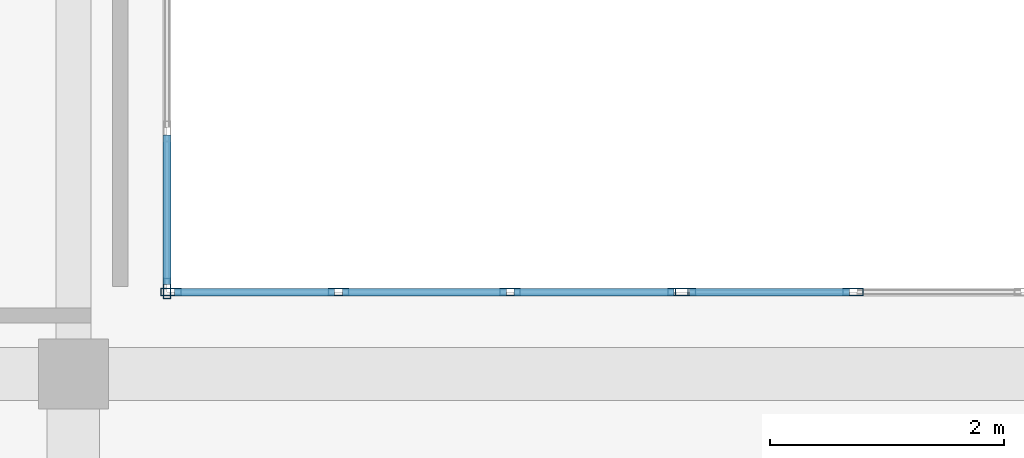
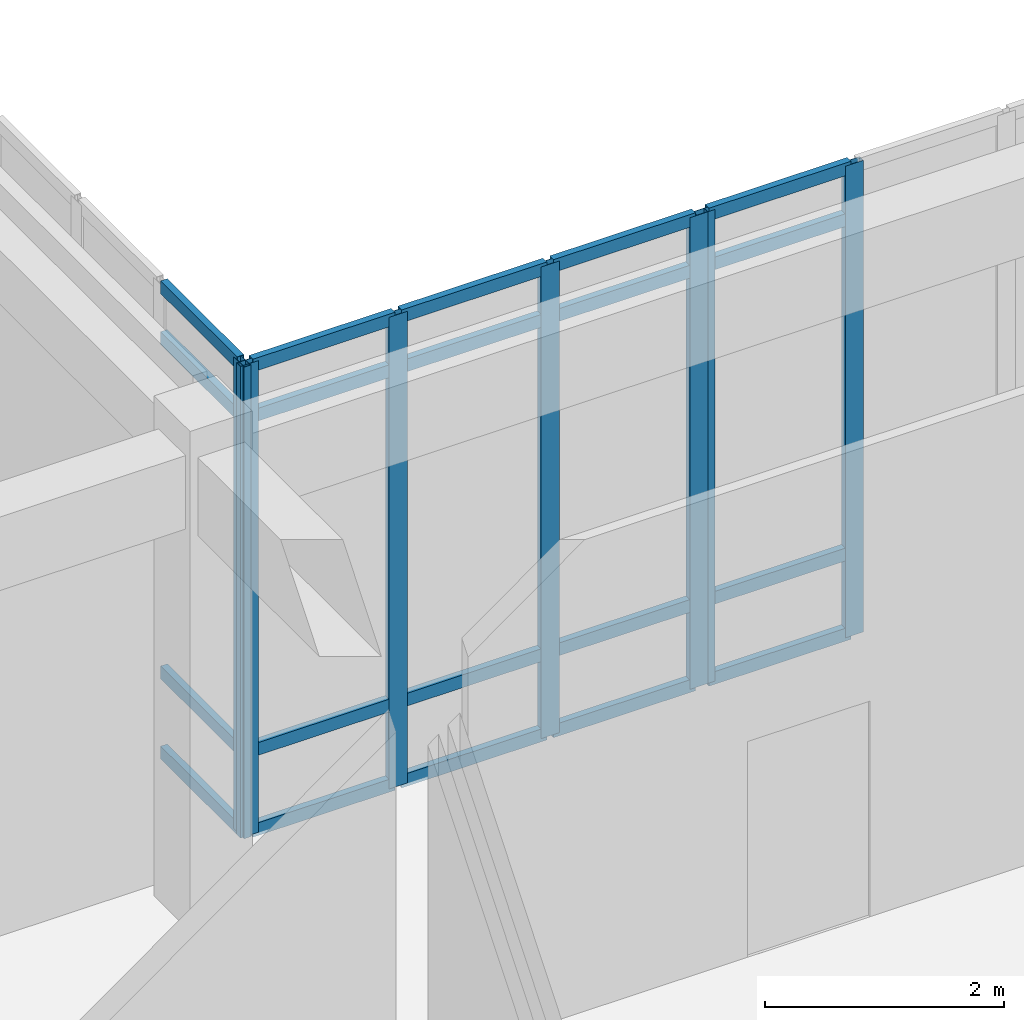
# One storey, part 59 of 121: 27 members, 3 elements without a shape of their own.
"""IFC4 building model written with IfcOpenShell, lengths in metres."""

from ifc_helpers import new_model, si_unit, direction, frame, origin, origin_2d, place, context, subcontext, project, spatial, hollow_rectangle, extrude, material, layer, layer_set, material_profile, profile_set, type_object, element, aggregate, save


model = new_model("IFC4")

# Units and contexts
model_context = context("Model", 3, precision=1e-05, world=origin(), true_north=direction((0.0, 1.0)))
body_context = subcontext(model_context, "Body", "Model", "MODEL_VIEW")
ifc_project = project(units=[si_unit("LENGTHUNIT", "METRE"), si_unit("AREAUNIT", "SQUARE_METRE"), si_unit("VOLUMEUNIT", "CUBIC_METRE"), si_unit("PLANEANGLEUNIT", "RADIAN"), si_unit("MASSUNIT", "GRAM", prefix="KILO")], contexts=[model_context])

# Site, building, storey
site_placement = place(None, origin())
site = spatial("IfcSite", under=ifc_project, at=site_placement, CompositionType="ELEMENT")
building_placement = place(site_placement, origin())
building = spatial("IfcBuilding", under=site, at=building_placement, Name="Valcora Specialist Clinic", CompositionType="ELEMENT")
storey_placement = place(building_placement, origin())
storey = spatial("IfcBuildingStorey", under=building, at=storey_placement, Name="L00", CompositionType="ELEMENT", Elevation=0.0)

# Curtain wall, members
ifc_material = material(Name="Anodized Bronze Aluminium 6063-T6", Category="aluminium")
ifc_layer = layer(ifc_material, 0.175048828125)
ifc_layer_set = layer_set([ifc_layer], Name="Anodized Bronze Aluminium 6063-T6")
curtain_wall_type = type_object("IfcCurtainWallType", Name="TY-CW-CRT15", PredefinedType="NOTDEFINED", material=ifc_layer_set)
curtain_wall_1_placement = place(storey_placement, origin())
curtain_wall_1 = element("IfcCurtainWall", 1, at=curtain_wall_1_placement, inside=storey, type_object=curtain_wall_type, Name="Curtain wall CW-L00-041", PredefinedType="NOTDEFINED")
ifc_material_profile_1 = material_profile(ifc_material, hollow_rectangle(XDim=0.06494140625, YDim=0.175048828125, WallThickness=0.00390625, at=origin_2d()), Name="AL-MUL-65X175")
ifc_profile_set_1 = profile_set([ifc_material_profile_1], Name="Anodized Bronze Aluminium 6063-T6")
member_type_1 = type_object("IfcMemberType", Name="TY-CWM-65X175", PredefinedType="MULLION", material=ifc_profile_set_1)
member_1_placement = place(storey_placement, frame((112.032470703125, 82.0, 0.0), z_axis=(0.0, 0.0, 1.0), x_axis=(0.0, 1.0, 0.0)))
member_1 = element("IfcMember", 2, at=member_1_placement, type_object=member_type_1, Name="CW-CRT-15 mullion 1", PredefinedType="MULLION", context=body_context, shape_type="SweptSolid", body=[
    extrude(hollow_rectangle(XDim=0.06494140625, YDim=0.175048828125, WallThickness=0.00390625, at=origin_2d()), origin(), (0.0, 0.0, 1.0), 4.81005859375),
])
member_2_placement = place(storey_placement, frame((113.466552734375, 82.0, 0.0), z_axis=(0.0, 0.0, 1.0), x_axis=(0.0, 1.0, 0.0)))
member_2 = element("IfcMember", 3, at=member_2_placement, type_object=member_type_1, Name="CW-CRT-15 mullion 2", PredefinedType="MULLION", context=body_context, shape_type="SweptSolid", body=[
    extrude(hollow_rectangle(XDim=0.06494140625, YDim=0.175048828125, WallThickness=0.00390625, at=origin_2d()), origin(), (0.0, 0.0, 1.0), 4.81005859375),
])
member_3_placement = place(storey_placement, frame((114.933349609375, 82.0, 0.0), z_axis=(0.0, 0.0, 1.0), x_axis=(0.0, 1.0, 0.0)))
member_3 = element("IfcMember", 4, at=member_3_placement, type_object=member_type_1, Name="CW-CRT-15 mullion 3", PredefinedType="MULLION", context=body_context, shape_type="SweptSolid", body=[
    extrude(hollow_rectangle(XDim=0.06494140625, YDim=0.175048828125, WallThickness=0.00390625, at=origin_2d()), origin(), (0.0, 0.0, 1.0), 4.81005859375),
])
member_4_placement = place(storey_placement, frame((116.367431640625, 82.0, 0.0), z_axis=(0.0, 0.0, 1.0), x_axis=(0.0, 1.0, 0.0)))
member_4 = element("IfcMember", 5, at=member_4_placement, type_object=member_type_1, Name="CW-CRT-15 mullion 4", PredefinedType="MULLION", context=body_context, shape_type="SweptSolid", body=[
    extrude(hollow_rectangle(XDim=0.06494140625, YDim=0.175048828125, WallThickness=0.00390625, at=origin_2d()), origin(), (0.0, 0.0, 1.0), 4.81005859375),
])

curtain_wall_2_placement = place(storey_placement, origin())
curtain_wall_2 = element("IfcCurtainWall", 6, at=curtain_wall_2_placement, inside=storey, type_object=curtain_wall_type, Name="Curtain wall CW-L00-042", PredefinedType="NOTDEFINED")
member_5_placement = place(storey_placement, frame((116.4326171875, 82.0, 0.0), z_axis=(0.0, 0.0, 1.0), x_axis=(0.0, 1.0, 0.0)))
member_5 = element("IfcMember", 7, at=member_5_placement, type_object=member_type_1, Name="CW-CRT-15 mullion 1", PredefinedType="MULLION", context=body_context, shape_type="SweptSolid", body=[
    extrude(hollow_rectangle(XDim=0.06494140625, YDim=0.175048828125, WallThickness=0.00390625, at=origin_2d()), origin(), (0.0, 0.0, 1.0), 4.81005859375),
])
member_6_placement = place(storey_placement, frame((117.86669921875, 82.0, 0.0), z_axis=(0.0, 0.0, 1.0), x_axis=(0.0, 1.0, 0.0)))
member_6 = element("IfcMember", 8, at=member_6_placement, type_object=member_type_1, Name="CW-CRT-15 mullion 2", PredefinedType="MULLION", context=body_context, shape_type="SweptSolid", body=[
    extrude(hollow_rectangle(XDim=0.06494140625, YDim=0.175048828125, WallThickness=0.00390625, at=origin_2d()), origin(), (0.0, 0.0, 1.0), 4.81005859375),
])

# Curtain wall, member
curtain_wall_3_placement = place(storey_placement, origin())
curtain_wall_3 = element("IfcCurtainWall", 9, at=curtain_wall_3_placement, inside=storey, type_object=curtain_wall_type, Name="Curtain wall CW-L00-052", PredefinedType="NOTDEFINED")
member_7_placement = place(storey_placement, frame((112.0, 82.032470703125, 0.0), z_axis=(0.0, 0.0, 1.0), x_axis=(1.0, 0.0, 0.0)))
member_7 = element("IfcMember", 10, at=member_7_placement, type_object=member_type_1, Name="CW-CRT-15 mullion 5", PredefinedType="MULLION", context=body_context, shape_type="SweptSolid", body=[
    extrude(hollow_rectangle(XDim=0.06494140625, YDim=0.175048828125, WallThickness=0.00390625, at=origin_2d()), origin(), (0.0, 0.0, 1.0), 4.81005859375),
])

# Member
ifc_material_profile_2 = material_profile(ifc_material, hollow_rectangle(XDim=0.06494140625, YDim=0.1298828125, WallThickness=0.00390625, at=origin_2d()), Name="AL-TRN-65X130")
ifc_profile_set_2 = profile_set([ifc_material_profile_2], Name="Anodized Bronze Aluminium 6063-T6")
member_type_2 = type_object("IfcMemberType", Name="TY-CWT-65X130", PredefinedType="USERDEFINED", material=ifc_profile_set_2)
member_8_placement = place(storey_placement, frame((112.06494140625, 82.0, 0.032470703125), z_axis=(1.0, 0.0, 0.0), x_axis=(0.0, 1.0, 0.0)))
member_8 = element("IfcMember", 11, at=member_8_placement, type_object=member_type_2, Name="CW-CRT-15 transom 1.1", ObjectType="TRANSOM", PredefinedType="USERDEFINED", context=body_context, shape_type="SweptSolid", body=[
    extrude(hollow_rectangle(XDim=0.06494140625, YDim=0.1298828125, WallThickness=0.00390625, at=origin_2d()), origin(), (0.0, 0.0, 1.0), 1.369140625),
])

member_9_placement = place(storey_placement, frame((112.06494140625, 82.0, 0.85009765625), z_axis=(1.0, 0.0, 0.0), x_axis=(0.0, 1.0, 0.0)))
member_9 = element("IfcMember", 12, at=member_9_placement, type_object=member_type_2, Name="CW-CRT-15 transom 1.2", ObjectType="TRANSOM", PredefinedType="USERDEFINED", context=body_context, shape_type="SweptSolid", body=[
    extrude(hollow_rectangle(XDim=0.06494140625, YDim=0.1298828125, WallThickness=0.00390625, at=origin_2d()), origin(), (0.0, 0.0, 1.0), 1.369140625),
])

member_10_placement = place(storey_placement, frame((112.06494140625, 82.0, 4.260009765625), z_axis=(1.0, 0.0, 0.0), x_axis=(0.0, 1.0, 0.0)))
member_10 = element("IfcMember", 13, at=member_10_placement, type_object=member_type_2, Name="CW-CRT-15 transom 1.3", ObjectType="TRANSOM", PredefinedType="USERDEFINED", context=body_context, shape_type="SweptSolid", body=[
    extrude(hollow_rectangle(XDim=0.06494140625, YDim=0.1298828125, WallThickness=0.00390625, at=origin_2d()), origin(), (0.0, 0.0, 1.0), 1.369140625),
])

member_11_placement = place(storey_placement, frame((112.06494140625, 82.0, 4.777587890625), z_axis=(1.0, 0.0, 0.0), x_axis=(0.0, 1.0, 0.0)))
member_11 = element("IfcMember", 14, at=member_11_placement, type_object=member_type_2, Name="CW-CRT-15 transom 1.4", ObjectType="TRANSOM", PredefinedType="USERDEFINED", context=body_context, shape_type="SweptSolid", body=[
    extrude(hollow_rectangle(XDim=0.06494140625, YDim=0.1298828125, WallThickness=0.00390625, at=origin_2d()), origin(), (0.0, 0.0, 1.0), 1.369140625),
])

member_12_placement = place(storey_placement, frame((113.499267578125, 82.0, 0.032470703125), z_axis=(1.0, 0.0, 0.0), x_axis=(0.0, 1.0, 0.0)))
member_12 = element("IfcMember", 15, at=member_12_placement, type_object=member_type_2, Name="CW-CRT-15 transom 2.1", ObjectType="TRANSOM", PredefinedType="USERDEFINED", context=body_context, shape_type="SweptSolid", body=[
    extrude(hollow_rectangle(XDim=0.06494140625, YDim=0.1298828125, WallThickness=0.00390625, at=origin_2d()), origin(), (0.0, 0.0, 1.0), 1.401611328125),
])

member_13_placement = place(storey_placement, frame((113.499267578125, 82.0, 0.85009765625), z_axis=(1.0, 0.0, 0.0), x_axis=(0.0, 1.0, 0.0)))
member_13 = element("IfcMember", 16, at=member_13_placement, type_object=member_type_2, Name="CW-CRT-15 transom 2.2", ObjectType="TRANSOM", PredefinedType="USERDEFINED", context=body_context, shape_type="SweptSolid", body=[
    extrude(hollow_rectangle(XDim=0.06494140625, YDim=0.1298828125, WallThickness=0.00390625, at=origin_2d()), origin(), (0.0, 0.0, 1.0), 1.401611328125),
])

member_14_placement = place(storey_placement, frame((113.499267578125, 82.0, 4.260009765625), z_axis=(1.0, 0.0, 0.0), x_axis=(0.0, 1.0, 0.0)))
member_14 = element("IfcMember", 17, at=member_14_placement, type_object=member_type_2, Name="CW-CRT-15 transom 2.3", ObjectType="TRANSOM", PredefinedType="USERDEFINED", context=body_context, shape_type="SweptSolid", body=[
    extrude(hollow_rectangle(XDim=0.06494140625, YDim=0.1298828125, WallThickness=0.00390625, at=origin_2d()), origin(), (0.0, 0.0, 1.0), 1.401611328125),
])

member_15_placement = place(storey_placement, frame((113.499267578125, 82.0, 4.777587890625), z_axis=(1.0, 0.0, 0.0), x_axis=(0.0, 1.0, 0.0)))
member_15 = element("IfcMember", 18, at=member_15_placement, type_object=member_type_2, Name="CW-CRT-15 transom 2.4", ObjectType="TRANSOM", PredefinedType="USERDEFINED", context=body_context, shape_type="SweptSolid", body=[
    extrude(hollow_rectangle(XDim=0.06494140625, YDim=0.1298828125, WallThickness=0.00390625, at=origin_2d()), origin(), (0.0, 0.0, 1.0), 1.401611328125),
])

member_16_placement = place(storey_placement, frame((114.9658203125, 82.0, 0.032470703125), z_axis=(1.0, 0.0, 0.0), x_axis=(0.0, 1.0, 0.0)))
member_16 = element("IfcMember", 19, at=member_16_placement, type_object=member_type_2, Name="CW-CRT-15 transom 3.1", ObjectType="TRANSOM", PredefinedType="USERDEFINED", context=body_context, shape_type="SweptSolid", body=[
    extrude(hollow_rectangle(XDim=0.06494140625, YDim=0.1298828125, WallThickness=0.00390625, at=origin_2d()), origin(), (0.0, 0.0, 1.0), 1.369140625),
])

member_17_placement = place(storey_placement, frame((114.9658203125, 82.0, 0.85009765625), z_axis=(1.0, 0.0, 0.0), x_axis=(0.0, 1.0, 0.0)))
member_17 = element("IfcMember", 20, at=member_17_placement, type_object=member_type_2, Name="CW-CRT-15 transom 3.2", ObjectType="TRANSOM", PredefinedType="USERDEFINED", context=body_context, shape_type="SweptSolid", body=[
    extrude(hollow_rectangle(XDim=0.06494140625, YDim=0.1298828125, WallThickness=0.00390625, at=origin_2d()), origin(), (0.0, 0.0, 1.0), 1.369140625),
])

member_18_placement = place(storey_placement, frame((114.9658203125, 82.0, 4.260009765625), z_axis=(1.0, 0.0, 0.0), x_axis=(0.0, 1.0, 0.0)))
member_18 = element("IfcMember", 21, at=member_18_placement, type_object=member_type_2, Name="CW-CRT-15 transom 3.3", ObjectType="TRANSOM", PredefinedType="USERDEFINED", context=body_context, shape_type="SweptSolid", body=[
    extrude(hollow_rectangle(XDim=0.06494140625, YDim=0.1298828125, WallThickness=0.00390625, at=origin_2d()), origin(), (0.0, 0.0, 1.0), 1.369140625),
])

member_19_placement = place(storey_placement, frame((114.9658203125, 82.0, 4.777587890625), z_axis=(1.0, 0.0, 0.0), x_axis=(0.0, 1.0, 0.0)))
member_19 = element("IfcMember", 22, at=member_19_placement, type_object=member_type_2, Name="CW-CRT-15 transom 3.4", ObjectType="TRANSOM", PredefinedType="USERDEFINED", context=body_context, shape_type="SweptSolid", body=[
    extrude(hollow_rectangle(XDim=0.06494140625, YDim=0.1298828125, WallThickness=0.00390625, at=origin_2d()), origin(), (0.0, 0.0, 1.0), 1.369140625),
])

aggregate(curtain_wall_1, [member_1, member_2, member_3, member_4, member_8, member_9, member_10, member_11, member_12, member_13, member_14, member_15, member_16, member_17, member_18, member_19])

member_20_placement = place(storey_placement, frame((116.465087890625, 82.0, 0.032470703125), z_axis=(1.0, 0.0, 0.0), x_axis=(0.0, 1.0, 0.0)))
member_20 = element("IfcMember", 23, at=member_20_placement, type_object=member_type_2, Name="CW-CRT-15 transom 1.1", ObjectType="TRANSOM", PredefinedType="USERDEFINED", context=body_context, shape_type="SweptSolid", body=[
    extrude(hollow_rectangle(XDim=0.06494140625, YDim=0.1298828125, WallThickness=0.00390625, at=origin_2d()), origin(), (0.0, 0.0, 1.0), 1.369140625),
])

member_21_placement = place(storey_placement, frame((116.465087890625, 82.0, 0.85009765625), z_axis=(1.0, 0.0, 0.0), x_axis=(0.0, 1.0, 0.0)))
member_21 = element("IfcMember", 24, at=member_21_placement, type_object=member_type_2, Name="CW-CRT-15 transom 1.2", ObjectType="TRANSOM", PredefinedType="USERDEFINED", context=body_context, shape_type="SweptSolid", body=[
    extrude(hollow_rectangle(XDim=0.06494140625, YDim=0.1298828125, WallThickness=0.00390625, at=origin_2d()), origin(), (0.0, 0.0, 1.0), 1.369140625),
])

member_22_placement = place(storey_placement, frame((116.465087890625, 82.0, 4.260009765625), z_axis=(1.0, 0.0, 0.0), x_axis=(0.0, 1.0, 0.0)))
member_22 = element("IfcMember", 25, at=member_22_placement, type_object=member_type_2, Name="CW-CRT-15 transom 1.3", ObjectType="TRANSOM", PredefinedType="USERDEFINED", context=body_context, shape_type="SweptSolid", body=[
    extrude(hollow_rectangle(XDim=0.06494140625, YDim=0.1298828125, WallThickness=0.00390625, at=origin_2d()), origin(), (0.0, 0.0, 1.0), 1.369140625),
])

member_23_placement = place(storey_placement, frame((116.465087890625, 82.0, 4.777587890625), z_axis=(1.0, 0.0, 0.0), x_axis=(0.0, 1.0, 0.0)))
member_23 = element("IfcMember", 26, at=member_23_placement, type_object=member_type_2, Name="CW-CRT-15 transom 1.4", ObjectType="TRANSOM", PredefinedType="USERDEFINED", context=body_context, shape_type="SweptSolid", body=[
    extrude(hollow_rectangle(XDim=0.06494140625, YDim=0.1298828125, WallThickness=0.00390625, at=origin_2d()), origin(), (0.0, 0.0, 1.0), 1.369140625),
])

aggregate(curtain_wall_2, [member_5, member_6, member_20, member_21, member_22, member_23])

member_24_placement = place(storey_placement, frame((112.0, 83.342529296875, 0.032470703125), z_axis=(0.0, -1.0, 0.0), x_axis=(1.0, 0.0, 0.0)))
member_24 = element("IfcMember", 27, at=member_24_placement, type_object=member_type_2, Name="CW-CRT-15 transom 4.1", ObjectType="TRANSOM", PredefinedType="USERDEFINED", context=body_context, shape_type="SweptSolid", body=[
    extrude(hollow_rectangle(XDim=0.06494140625, YDim=0.1298828125, WallThickness=0.00390625, at=origin_2d()), origin(), (0.0, 0.0, 1.0), 1.277587890625),
])

member_25_placement = place(storey_placement, frame((112.0, 83.342529296875, 0.85009765625), z_axis=(0.0, -1.0, 0.0), x_axis=(1.0, 0.0, 0.0)))
member_25 = element("IfcMember", 28, at=member_25_placement, type_object=member_type_2, Name="CW-CRT-15 transom 4.2", ObjectType="TRANSOM", PredefinedType="USERDEFINED", context=body_context, shape_type="SweptSolid", body=[
    extrude(hollow_rectangle(XDim=0.06494140625, YDim=0.1298828125, WallThickness=0.00390625, at=origin_2d()), origin(), (0.0, 0.0, 1.0), 1.277587890625),
])

member_26_placement = place(storey_placement, frame((112.0, 83.342529296875, 4.260009765625), z_axis=(0.0, -1.0, 0.0), x_axis=(1.0, 0.0, 0.0)))
member_26 = element("IfcMember", 29, at=member_26_placement, type_object=member_type_2, Name="CW-CRT-15 transom 4.3", ObjectType="TRANSOM", PredefinedType="USERDEFINED", context=body_context, shape_type="SweptSolid", body=[
    extrude(hollow_rectangle(XDim=0.06494140625, YDim=0.1298828125, WallThickness=0.00390625, at=origin_2d()), origin(), (0.0, 0.0, 1.0), 1.277587890625),
])

member_27_placement = place(storey_placement, frame((112.0, 83.342529296875, 4.777587890625), z_axis=(0.0, -1.0, 0.0), x_axis=(1.0, 0.0, 0.0)))
member_27 = element("IfcMember", 30, at=member_27_placement, type_object=member_type_2, Name="CW-CRT-15 transom 4.4", ObjectType="TRANSOM", PredefinedType="USERDEFINED", context=body_context, shape_type="SweptSolid", body=[
    extrude(hollow_rectangle(XDim=0.06494140625, YDim=0.1298828125, WallThickness=0.00390625, at=origin_2d()), origin(), (0.0, 0.0, 1.0), 1.277587890625),
])

aggregate(curtain_wall_3, [member_7, member_24, member_25, member_26, member_27])

save(model, "model.ifc")
